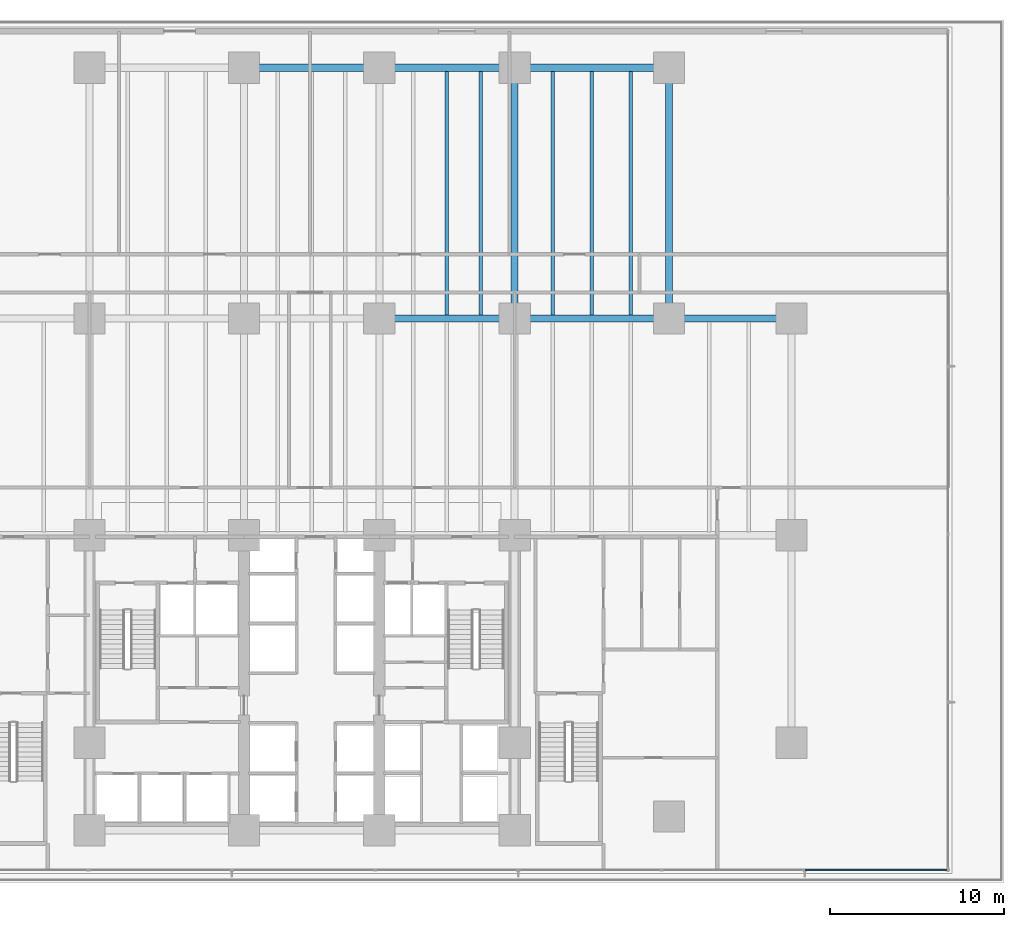
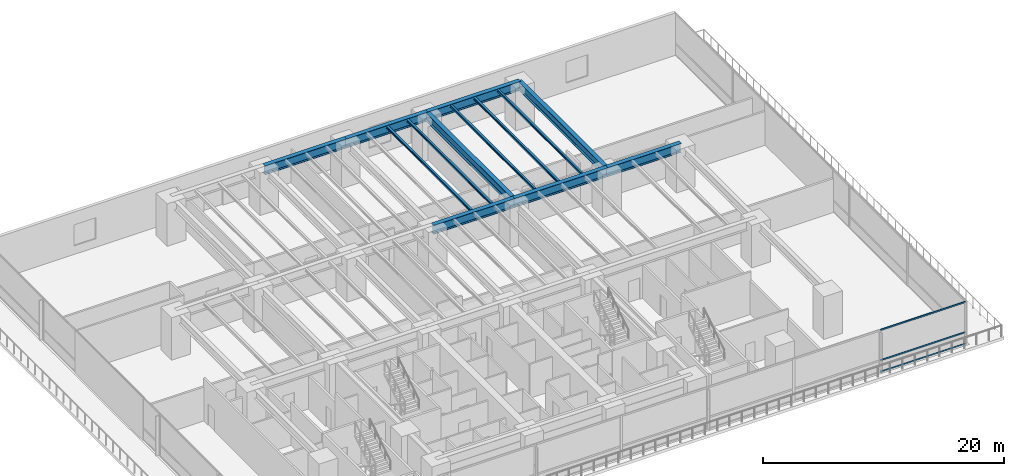
# One storey, part 5 of 24: 13 beams, 3 members, 1 element without a shape of its own.
"""IFC4 building model written with IfcOpenShell, lengths in metres."""

from ifc_helpers import new_model, si_unit, direction, frame, origin, origin_2d, place, context, subcontext, project, spatial, rectangle, i_section, extrude, material, layer, layer_set, material_profile, profile_set, type_object, element, aggregate, save


model = new_model("IFC4")

# Units and contexts
model_context = context("Model", 3, precision=1e-05, world=origin(), true_north=direction((0.0, 1.0)))
body_context = subcontext(model_context, "Body", "Model", "MODEL_VIEW")
ifc_project = project(units=[si_unit("LENGTHUNIT", "METRE"), si_unit("AREAUNIT", "SQUARE_METRE"), si_unit("VOLUMEUNIT", "CUBIC_METRE"), si_unit("PLANEANGLEUNIT", "RADIAN"), si_unit("MASSUNIT", "GRAM", prefix="KILO")], contexts=[model_context])

# Site, building, storey
site_placement = place(None, origin())
site = spatial("IfcSite", under=ifc_project, at=site_placement, CompositionType="ELEMENT")
building_placement = place(site_placement, origin())
building = spatial("IfcBuilding", under=site, at=building_placement, Name="Qalmaran Belvedere Hotel", CompositionType="ELEMENT")
storey_placement = place(building_placement, frame((0.0, 0.0, 14.60009765625)))
storey = spatial("IfcBuildingStorey", under=building, at=storey_placement, Name="L03", CompositionType="ELEMENT", Elevation=14.60009765625)

# Beams
ifc_material_1 = material(Name="Steel S355JR", Category="steel")
ifc_material_profile_1 = material_profile(ifc_material_1, i_section(OverallWidth=0.201904296875, OverallDepth=0.2470703125, WebThickness=0.00732421875, FlangeThickness=0.010986328125, FilletRadius=0.011962890625, at=origin_2d()), Name="W250X49")
ifc_profile_set_1 = profile_set([ifc_material_profile_1], Name="Steel S355JR")
beam_type_1 = type_object("IfcBeamType", Name="BM-JST-W250X49", PredefinedType="JOIST", material=ifc_profile_set_1)
for number, where, z_axis, x_axis, name in (
    (1, (40.89990234375, 33.20703125, 4.176513671875), (0.0, 1.0, 0.0), (-1.0, 0.0, 0.0), "L03 Podium North-Ballroom Joist 058"),
    (2, (42.85009765625, 33.20703125, 4.176513671875), (0.0, 1.0, 0.0), (-1.0, 0.0, 0.0), "L03 Podium North-Ballroom Joist 060"),
    (3, (47.0, 33.20703125, 4.176513671875), (0.0, 1.0, 0.0), (-1.0, 0.0, 0.0), "L03 Podium North-Ballroom Joist 062"),
    (4, (49.25, 33.20703125, 4.176513671875), (0.0, 1.0, 0.0), (-1.0, 0.0, 0.0), "L03 Podium North-Ballroom Joist 064"),
    (5, (51.5, 33.20703125, 4.176513671875), (0.0, 1.0, 0.0), (-1.0, 0.0, 0.0), "L03 Podium North-Ballroom Joist 066"),
):
    element("IfcBeam", number, at=place(storey_placement, frame(where, z_axis=z_axis, x_axis=x_axis)), inside=storey, type_object=beam_type_1, Name=name, PredefinedType="JOIST", context=body_context, shape_type="SweptSolid", body=[
        extrude(i_section(OverallWidth=0.201904296875, OverallDepth=0.2470703125, WebThickness=0.00732421875, FlangeThickness=0.010986328125, FilletRadius=0.011962890625, at=origin_2d()), origin(), (0.0, 0.0, 1.0), 14.035888671875),
    ])
ifc_material_profile_2 = material_profile(ifc_material_1, i_section(OverallWidth=0.41796875, OverallDepth=0.912109375, WebThickness=0.019287109375, FlangeThickness=0.031982421875, FilletRadius=0.02392578125, at=origin_2d()), Name="W920X342")
ifc_profile_set_2 = profile_set([ifc_material_profile_2], Name="Steel S355JR")
beam_type_2 = type_object("IfcBeamType", Name="BM-PG2-W920X342", PredefinedType="USERDEFINED", material=ifc_profile_set_2)
beam_1_placement = place(storey_placement, frame((37.0, 33.0, 3.843994140625), z_axis=(1.0, 0.0, 0.0), x_axis=(0.0, 1.0, 0.0)))
element("IfcBeam", 6, at=beam_1_placement, inside=storey, type_object=beam_type_2, Name="L03 Podium Primary Girder GX15", ObjectType="GIRDER", PredefinedType="USERDEFINED", context=body_context, shape_type="SweptSolid", body=[
    extrude(i_section(OverallWidth=0.41796875, OverallDepth=0.912109375, WebThickness=0.019287109375, FlangeThickness=0.031982421875, FilletRadius=0.02392578125, at=origin_2d()), origin(), (0.0, 0.0, 1.0), 7.800048828125),
])
beam_2_placement = place(storey_placement, frame((44.800048828125, 33.0, 3.843994140625), z_axis=(1.0, 0.0, 0.0), x_axis=(0.0, 1.0, 0.0)))
element("IfcBeam", 7, at=beam_2_placement, inside=storey, type_object=beam_type_2, Name="L03 Podium Primary Girder GX16", ObjectType="GIRDER", PredefinedType="USERDEFINED", context=body_context, shape_type="SweptSolid", body=[
    extrude(i_section(OverallWidth=0.41796875, OverallDepth=0.912109375, WebThickness=0.019287109375, FlangeThickness=0.031982421875, FilletRadius=0.02392578125, at=origin_2d()), origin(), (0.0, 0.0, 1.0), 8.89990234375),
])
beam_3_placement = place(storey_placement, frame((53.699951171875, 33.0, 3.843994140625), z_axis=(1.0, 0.0, 0.0), x_axis=(0.0, 1.0, 0.0)))
element("IfcBeam", 8, at=beam_3_placement, inside=storey, type_object=beam_type_2, Name="L03 Podium Primary Girder GX17", ObjectType="GIRDER", PredefinedType="USERDEFINED", context=body_context, shape_type="SweptSolid", body=[
    extrude(i_section(OverallWidth=0.41796875, OverallDepth=0.912109375, WebThickness=0.019287109375, FlangeThickness=0.031982421875, FilletRadius=0.02392578125, at=origin_2d()), origin(), (0.0, 0.0, 1.0), 7.050048828125),
])
for number, where, z_axis, x_axis, name in (
    (9, (29.199951171875, 47.449951171875, 3.843994140625), (1.0, 0.0, 0.0), (0.0, 1.0, 0.0), "L03 Podium Primary Girder GX19"),
    (10, (37.0, 47.449951171875, 3.843994140625), (1.0, 0.0, 0.0), (0.0, 1.0, 0.0), "L03 Podium Primary Girder GX20"),
):
    element("IfcBeam", number, at=place(storey_placement, frame(where, z_axis=z_axis, x_axis=x_axis)), inside=storey, type_object=beam_type_2, Name=name, ObjectType="GIRDER", PredefinedType="USERDEFINED", context=body_context, shape_type="SweptSolid", body=[
        extrude(i_section(OverallWidth=0.41796875, OverallDepth=0.912109375, WebThickness=0.019287109375, FlangeThickness=0.031982421875, FilletRadius=0.02392578125, at=origin_2d()), origin(), (0.0, 0.0, 1.0), 7.800048828125),
    ])
beam_4_placement = place(storey_placement, frame((44.800048828125, 47.449951171875, 3.843994140625), z_axis=(1.0, 0.0, 0.0), x_axis=(0.0, 1.0, 0.0)))
element("IfcBeam", 11, at=beam_4_placement, inside=storey, type_object=beam_type_2, Name="L03 Podium Primary Girder GX21", ObjectType="GIRDER", PredefinedType="USERDEFINED", context=body_context, shape_type="SweptSolid", body=[
    extrude(i_section(OverallWidth=0.41796875, OverallDepth=0.912109375, WebThickness=0.019287109375, FlangeThickness=0.031982421875, FilletRadius=0.02392578125, at=origin_2d()), origin(), (0.0, 0.0, 1.0), 8.89990234375),
])
ifc_material_profile_3 = material_profile(ifc_material_1, i_section(OverallWidth=0.39990234375, OverallDepth=0.85498046875, WebThickness=0.018310546875, FlangeThickness=0.029296875, FilletRadius=0.02392578125, at=origin_2d()), Name="W840X299")
ifc_profile_set_3 = profile_set([ifc_material_profile_3], Name="Steel S355JR")
beam_type_3 = type_object("IfcBeamType", Name="BM-PG3-W840X299", PredefinedType="USERDEFINED", material=ifc_profile_set_3)
for number, where, z_axis, x_axis, name in (
    (12, (44.800048828125, 33.0, 3.872314453125), (0.0, 1.0, 0.0), (-1.0, 0.0, 0.0), "L03 Podium Transverse Girder GY37"),
    (13, (53.699951171875, 33.0, 3.872314453125), (0.0, 1.0, 0.0), (-1.0, 0.0, 0.0), "L03 Podium Transverse Girder GY38"),
):
    element("IfcBeam", number, at=place(storey_placement, frame(where, z_axis=z_axis, x_axis=x_axis)), inside=storey, type_object=beam_type_3, Name=name, ObjectType="GIRDER", PredefinedType="USERDEFINED", context=body_context, shape_type="SweptSolid", body=[
        extrude(i_section(OverallWidth=0.39990234375, OverallDepth=0.85498046875, WebThickness=0.018310546875, FlangeThickness=0.029296875, FilletRadius=0.02392578125, at=origin_2d()), origin(), (0.0, 0.0, 1.0), 14.449951171875),
    ])

# Curtain wall, members
ifc_material_2 = material(Name="Anodised Bronze Aluminium", Category="aluminium")
ifc_layer = layer(ifc_material_2, 0.219970703125, Name="Anodised Bronze Aluminium")
ifc_layer_set = layer_set([ifc_layer], Name="Anodised Bronze Aluminium")
curtain_wall_type = type_object("IfcCurtainWallType", Name="CW1-PODIUM-BRONZE", PredefinedType="NOTDEFINED", material=ifc_layer_set)
curtain_wall_placement = place(storey_placement, origin())
curtain_wall = element("IfcCurtainWall", 14, at=curtain_wall_placement, inside=storey, type_object=curtain_wall_type, Name="L03 Curtain Wall CW1", PredefinedType="NOTDEFINED")
ifc_material_profile_4 = material_profile(ifc_material_2, rectangle(XDim=0.070068359375, YDim=0.14990234375, at=origin_2d()), Name="CWT70X150")
ifc_profile_set_4 = profile_set([ifc_material_profile_4], Name="Anodised Bronze Aluminium")
member_type = type_object("IfcMemberType", Name="CWT-70X150", PredefinedType="USERDEFINED", material=ifc_profile_set_4)
member_1_placement = place(storey_placement, frame((61.56005859375, 1.219970703125, 0.034912109375), z_axis=(1.0, 0.0, 0.0), x_axis=(0.0, 1.0, 0.0)))
member_1 = element("IfcMember", 15, at=member_1_placement, type_object=member_type, Name="CW1 transom 8.1", ObjectType="TRANSOM", PredefinedType="USERDEFINED", context=body_context, shape_type="SweptSolid", body=[
    extrude(rectangle(XDim=0.070068359375, YDim=0.14990234375, at=origin_2d()), origin(), (0.0, 0.0, 1.0), 8.14501953125),
])
member_2_placement = place(storey_placement, frame((61.56005859375, 1.219970703125, 1.203857421875), z_axis=(1.0, 0.0, 0.0), x_axis=(0.0, 1.0, 0.0)))
member_2 = element("IfcMember", 16, at=member_2_placement, type_object=member_type, Name="CW1 transom 8.2", ObjectType="TRANSOM", PredefinedType="USERDEFINED", context=body_context, shape_type="SweptSolid", body=[
    extrude(rectangle(XDim=0.070068359375, YDim=0.14990234375, at=origin_2d()), origin(), (0.0, 0.0, 1.0), 8.14501953125),
])
member_3_placement = place(storey_placement, frame((61.56005859375, 1.219970703125, 4.264892578125), z_axis=(1.0, 0.0, 0.0), x_axis=(0.0, 1.0, 0.0)))
member_3 = element("IfcMember", 17, at=member_3_placement, type_object=member_type, Name="CW1 transom 8.3", ObjectType="TRANSOM", PredefinedType="USERDEFINED", context=body_context, shape_type="SweptSolid", body=[
    extrude(rectangle(XDim=0.070068359375, YDim=0.14990234375, at=origin_2d()), origin(), (0.0, 0.0, 1.0), 8.14501953125),
])
aggregate(curtain_wall, [member_1, member_2, member_3])

save(model, "model.ifc")
